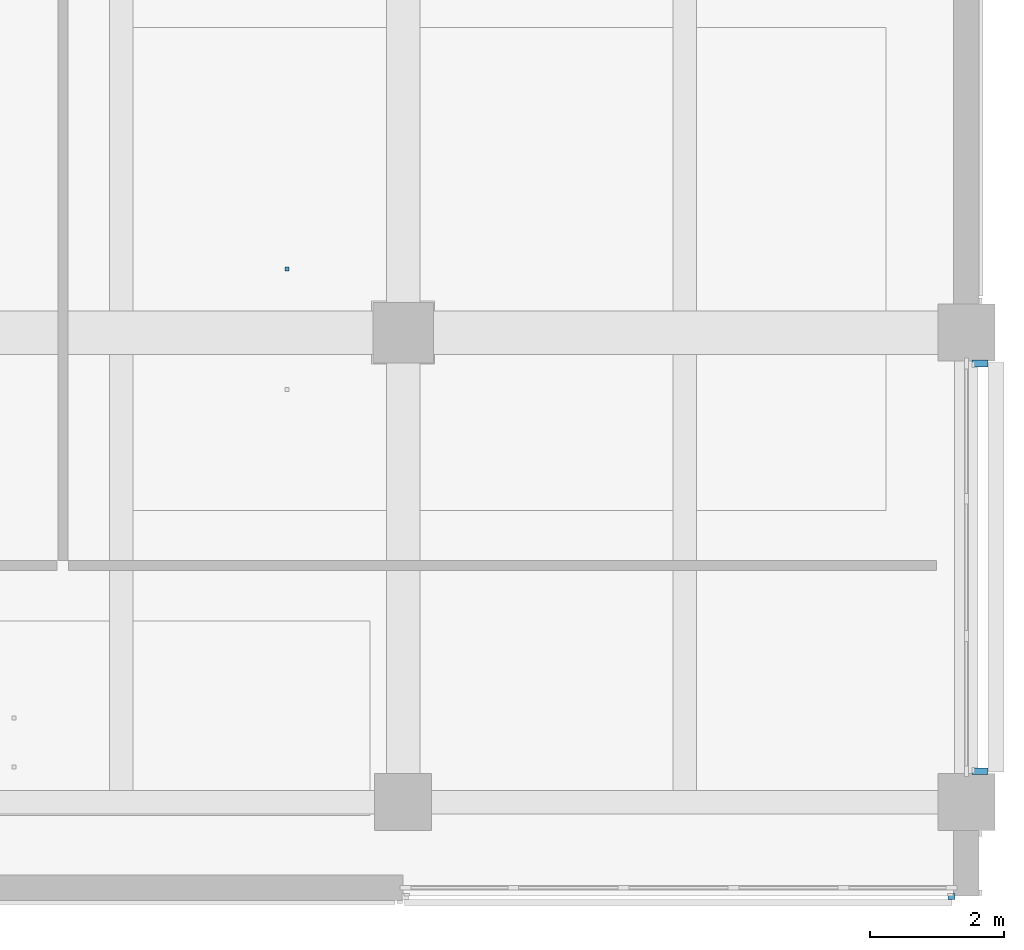
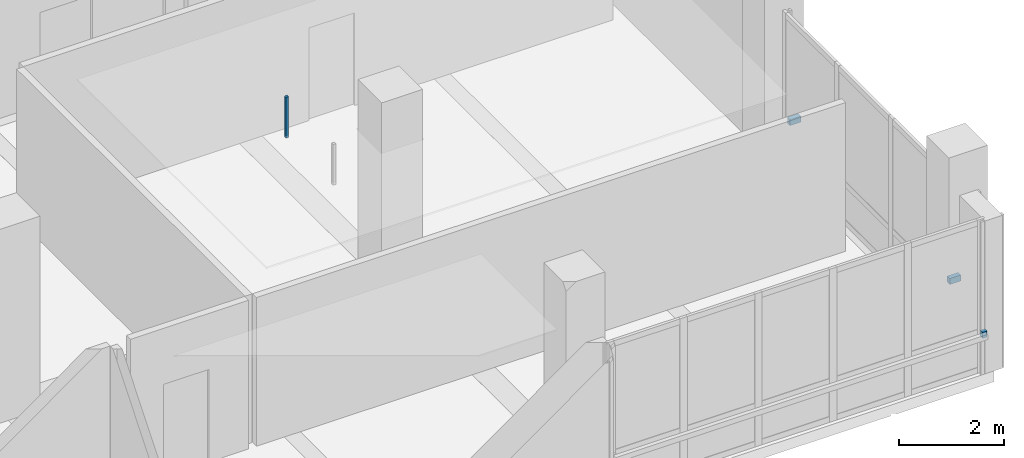
# One storey, part 19 of 36: 4 discrete accessories.
"""IFC4 building model written with IfcOpenShell, lengths in metres."""

import ifcopenshell
import ifcopenshell.guid

model = None  # the IFC model being written
_history = None  # IfcOwnerHistory: only IFC2X3 demands one
_inside = {}  # id of a spatial element -> (the spatial element, [elements in it])
_under = {}  # id of a project, library or spatial element -> (it, [spatial elements below it])
_declared = {}  # id of a project -> (the project, [libraries it declares])
_typed = {}  # id of a type object -> (the type object, [elements of that type])
_made_of = {}  # id of a material, layer set ... -> (it, [elements and type objects made of it])


def new_model(schema):
    """Start an empty IFC model of exactly this schema.

    Asked for "IFC4X3", IfcOpenShell would pick the latest addendum, in which some entities
    have other attributes; the version numbers below select the first issue.
    IFC2X3 requires an IfcOwnerHistory on every rooted entity: one is made here for all.
    """
    global model, _history
    if schema == "IFC4X3":
        model = ifcopenshell.file(schema_version=(4, 3, 0, 0))
    else:
        model = ifcopenshell.file(schema=schema)
    _inside.clear()
    _under.clear()
    _declared.clear()
    _typed.clear()
    _made_of.clear()
    _history = None
    if model.schema == "IFC2X3":
        org = make("IfcOrganization", Name="unknown")
        user = make(
            "IfcPersonAndOrganization",
            ThePerson=make("IfcPerson", FamilyName="unknown"),
            TheOrganization=org,
        )
        app = make(
            "IfcApplication",
            ApplicationDeveloper=org,
            Version="unknown",
            ApplicationFullName="unknown",
            ApplicationIdentifier="unknown",
        )
        _history = make(
            "IfcOwnerHistory",
            OwningUser=user,
            OwningApplication=app,
            ChangeAction="ADDED",
            CreationDate=0,
        )
    return model


def make(cls, **values):
    """One entity of the class cls with the attributes given. An attribute that is None is left unset."""
    return model.create_entity(
        cls, **{name: value for name, value in values.items() if value is not None}
    )


def rooted(cls, **values):
    """An entity with a GlobalId (a new one), such as an element, a storey or a relation."""
    return make(cls, GlobalId=ifcopenshell.guid.new(), OwnerHistory=_history, **values)


def si_unit(unit_type, name, prefix=None):
    """IfcSIUnit, for example si_unit("LENGTHUNIT", "METRE", prefix="MILLI")."""
    return make("IfcSIUnit", UnitType=unit_type, Prefix=prefix, Name=name)


def assignment(units):
    """IfcUnitAssignment: the units of a project."""
    return None if units is None else make("IfcUnitAssignment", Units=units)


def point(xyz):
    """IfcCartesianPoint."""
    return None if xyz is None else make("IfcCartesianPoint", Coordinates=xyz)


def direction(xyz):
    """IfcDirection."""
    return None if xyz is None else make("IfcDirection", DirectionRatios=xyz)


def frame(location, z_axis=None, x_axis=None):
    """IfcAxis2Placement3D, a coordinate frame: its origin and axes. An axis left out is left unset."""
    return make(
        "IfcAxis2Placement3D",
        Location=point(location),
        Axis=direction(z_axis),
        RefDirection=direction(x_axis),
    )


def frame_2d(location, x_axis=None):
    """IfcAxis2Placement2D, a coordinate frame in the plane: its origin and x axis."""
    return make(
        "IfcAxis2Placement2D", Location=point(location), RefDirection=direction(x_axis)
    )


def origin():
    """The frame at (0, 0, 0) with its axes left unset."""
    return frame((0.0, 0.0, 0.0))


def origin_2d():
    """The frame at (0, 0) in the plane with its x axis left unset."""
    return frame_2d((0.0, 0.0))


def place(relative_to, where):
    """IfcLocalPlacement: puts the frame where relative to a parent placement (None: the world)."""
    return make(
        "IfcLocalPlacement", PlacementRelTo=relative_to, RelativePlacement=where
    )


def context(
    kind, dimensions, precision=None, world=None, true_north=None, identifier=None
):
    """IfcGeometricRepresentationContext, for example the 3D "Model" context."""
    return make(
        "IfcGeometricRepresentationContext",
        ContextIdentifier=identifier,
        ContextType=kind,
        CoordinateSpaceDimension=dimensions,
        Precision=precision,
        WorldCoordinateSystem=world,
        TrueNorth=true_north,
    )


def subcontext(parent, identifier, kind, view, scale=None):
    """IfcGeometricRepresentationSubContext, for example "Body" below "Model"."""
    return make(
        "IfcGeometricRepresentationSubContext",
        ContextIdentifier=identifier,
        ContextType=kind,
        ParentContext=parent,
        TargetScale=scale,
        TargetView=view,
    )


def project(units=None, contexts=None):
    """IfcProject with its units and contexts."""
    return rooted(
        "IfcProject",
        Name="project",
        RepresentationContexts=contexts,
        UnitsInContext=assignment(units),
    )


def spatial(cls, under=None, at=None, **own):
    """A site, building, storey or space (cls), placed at a placement, below another one or the project."""
    s = rooted(cls, ObjectPlacement=at, **own)
    if under is not None:
        _under.setdefault(under.id(), (under, []))[1].append(s)
    return s


def profile(cls, at=None, kind="AREA", **sizes):
    """A parametric profile (cls). Its sizes go by their IFC names, for example OverallWidth=200.0."""
    return make(cls, ProfileType=kind, Position=at, **sizes)


def rectangle(**sizes):
    """IfcRectangleProfileDef."""
    return profile("IfcRectangleProfileDef", **sizes)


def extrude(swept, where, along, depth):
    """IfcExtrudedAreaSolid: the profile swept, set in the frame where, extruded along a direction by depth."""
    return make(
        "IfcExtrudedAreaSolid",
        SweptArea=swept,
        Position=where,
        ExtrudedDirection=direction(along),
        Depth=depth,
    )


def shape(context_of_items, identifier, shape_type, items):
    """IfcShapeRepresentation: the items that make up one representation, for example the "Body"."""
    return make(
        "IfcShapeRepresentation",
        ContextOfItems=context_of_items,
        RepresentationIdentifier=identifier,
        RepresentationType=shape_type,
        Items=items,
    )


def material(Name=None, Category=None):
    """IfcMaterial."""
    return make("IfcMaterial", Name=Name, Category=Category)


def made_of(thing, what):
    """Note that an element or type object is made of a material, layer set ...; save() writes the relation."""
    if what is not None:
        _made_of.setdefault(what.id(), (what, []))[1].append(thing)
    return thing


def type_object(cls, material=None, **own):
    """A type object (cls), such as IfcWallType, which elements share."""
    return made_of(rooted(cls, **own), material)


def element(
    cls,
    number,
    at=None,
    inside=None,
    cuts=None,
    type_object=None,
    material=None,
    context=None,
    identifier="Body",
    shape_type=None,
    held_by="IfcProductDefinitionShape",
    body=None,
    shapes=None,
    **own,
):
    """One element of the class cls, such as IfcWall. Its Tag is "e" and its number.

    at: its placement. inside: the storey or other place that contains it. cuts: it is an
    opening in that element (IfcRelVoidsElement). A single representation is given by context,
    identifier, shape_type and body (its items); several are given by shapes. held_by: the class
    of the entity that holds the representations. save() writes the other relations.
    """
    e = rooted(cls, Tag="e%d" % number, ObjectPlacement=at, **own)
    if body is not None:
        shapes = [shape(context, identifier, shape_type, body)]
    if shapes is not None:
        e.Representation = make(held_by, Representations=shapes)
    if inside is not None:
        _inside.setdefault(inside.id(), (inside, []))[1].append(e)
    if cuts is not None:
        rooted(
            "IfcRelVoidsElement", RelatingBuildingElement=cuts, RelatedOpeningElement=e
        )
    if type_object is not None:
        _typed.setdefault(type_object.id(), (type_object, []))[1].append(e)
    return made_of(e, material)


def aggregate(whole, parts):
    """IfcRelAggregates: a whole, such as a stair, and the parts it consists of."""
    return rooted("IfcRelAggregates", RelatingObject=whole, RelatedObjects=parts)


def save(model, path):
    """Write the relations noted so far, then the file.

    IfcRelAggregates (storeys below a building ...), IfcRelContainedInSpatialStructure (elements
    in a storey), IfcRelDefinesByType, IfcRelAssociatesMaterial and IfcRelDeclares: one each for
    every whole, place, type object, material and project.
    """
    for whole, parts in _under.values():
        aggregate(whole, parts)
    for where, things in _inside.values():
        rooted(
            "IfcRelContainedInSpatialStructure",
            RelatedElements=things,
            RelatingStructure=where,
        )
    for kind, things in _typed.values():
        rooted("IfcRelDefinesByType", RelatedObjects=things, RelatingType=kind)
    for what, things in _made_of.values():
        rooted("IfcRelAssociatesMaterial", RelatedObjects=things, RelatingMaterial=what)
    for by, libraries in _declared.values():
        rooted("IfcRelDeclares", RelatingContext=by, RelatedDefinitions=libraries)
    model.write(path)


model = new_model("IFC4")

# Units and contexts
model_context = context("Model", 3, precision=1e-05, world=origin(), true_north=direction((0.0, 1.0)))
body_context = subcontext(model_context, "Body", "Model", "MODEL_VIEW")
ifc_project = project(units=[si_unit("LENGTHUNIT", "METRE"), si_unit("AREAUNIT", "SQUARE_METRE"), si_unit("VOLUMEUNIT", "CUBIC_METRE"), si_unit("PLANEANGLEUNIT", "RADIAN"), si_unit("MASSUNIT", "GRAM", prefix="KILO")], contexts=[model_context])

# Site, building, storey
site_placement = place(None, origin())
site = spatial("IfcSite", under=ifc_project, at=site_placement, CompositionType="ELEMENT")
building_placement = place(site_placement, origin())
building = spatial("IfcBuilding", under=site, at=building_placement, Name="Telukmera Botanical Conservatory", CompositionType="ELEMENT")
storey_placement = place(building_placement, frame((0.0, 0.0, 24.0)))
storey = spatial("IfcBuildingStorey", under=building, at=storey_placement, Name="L05", CompositionType="ELEMENT", Elevation=24.0)

# Discrete accessories
ifc_material = material(Name="Steel S355", Category="steel")
discrete_accessory_type_1 = type_object("IfcDiscreteAccessoryType", Name="ACC-CEIL-HGR", PredefinedType="BRACKET", material=ifc_material)
discrete_accessory_1_placement = place(storey_placement, frame((99.069091796875, 18.550048828125, 3.31005859375), z_axis=(0.0, 0.0, 1.0), x_axis=(1.0, 0.0, 0.0)))
element("IfcDiscreteAccessory", 1, at=discrete_accessory_1_placement, inside=storey, type_object=discrete_accessory_type_1, Name="L05 Suspended Ceiling Hanger Rod 028-2", PredefinedType="BRACKET", context=body_context, shape_type="SweptSolid", body=[
    extrude(rectangle(XDim=0.06005859375, YDim=0.06005859375, at=origin_2d()), origin(), (0.0, 0.0, 1.0), 0.945068359375),
])
discrete_accessory_type_2 = type_object("IfcDiscreteAccessoryType", Name="Structural Steel Facade Outrigger Fin Bracket", PredefinedType="BRACKET", material=ifc_material)
discrete_accessory_2_placement = place(storey_placement, frame((108.9755859375, 9.195068359375, 0.8798828125), z_axis=(0.0, 0.0, 1.0), x_axis=(1.0, 0.0, 0.0)))
element("IfcDiscreteAccessory", 2, at=discrete_accessory_2_placement, inside=storey, type_object=discrete_accessory_type_2, Name="Facade Outrigger Bracket V4:L05:S7 B", PredefinedType="BRACKET", context=body_context, shape_type="SweptSolid", body=[
    extrude(rectangle(XDim=0.10009765625, YDim=0.090087890625, at=origin_2d()), origin(), (0.0, 0.0, 1.0), 0.139892578125),
])
for number, where, z_axis, x_axis, name in (
    (3, (109.39990234375, 11.0595703125, 0.8798828125), (0.0, 0.0, 1.0), (0.0, 1.0, 0.0), "Facade Outrigger Bracket V4:L05:E1 A"),
    (4, (109.39990234375, 17.140380859375, 0.8798828125), (0.0, 0.0, 1.0), (0.0, 1.0, 0.0), "Facade Outrigger Bracket V4:L05:E1 B"),
):
    element("IfcDiscreteAccessory", number, at=place(storey_placement, frame(where, z_axis=z_axis, x_axis=x_axis)), inside=storey, type_object=discrete_accessory_type_2, Name=name, PredefinedType="BRACKET", context=body_context, shape_type="SweptSolid", body=[
        extrude(rectangle(XDim=0.10009765625, YDim=0.239990234375, at=origin_2d()), origin(), (0.0, 0.0, 1.0), 0.139892578125),
    ])

save(model, "model.ifc")
